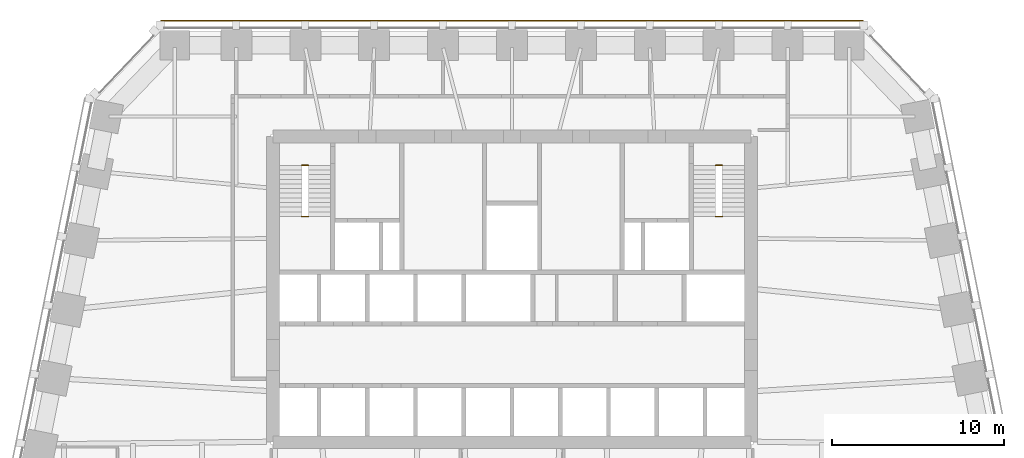
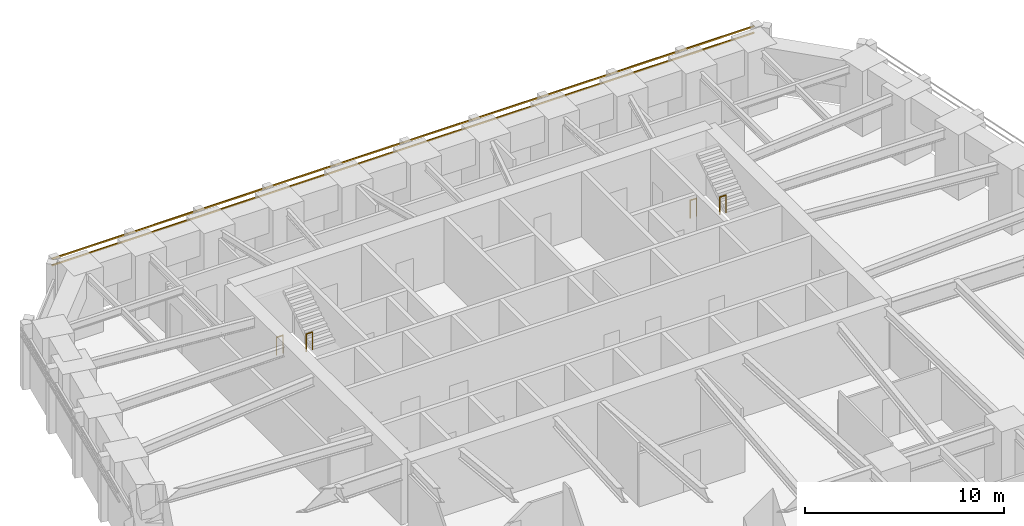
# One storey, part 9 of 9: 4 railings, 2 shading devices.
"""IFC4 building model written with IfcOpenShell, lengths in metres."""

import ifcopenshell
import ifcopenshell.guid

model = None  # the IFC model being written
_history = None  # IfcOwnerHistory: only IFC2X3 demands one
_inside = {}  # id of a spatial element -> (the spatial element, [elements in it])
_under = {}  # id of a project, library or spatial element -> (it, [spatial elements below it])
_declared = {}  # id of a project -> (the project, [libraries it declares])
_typed = {}  # id of a type object -> (the type object, [elements of that type])
_made_of = {}  # id of a material, layer set ... -> (it, [elements and type objects made of it])


def new_model(schema):
    """Start an empty IFC model of exactly this schema.

    Asked for "IFC4X3", IfcOpenShell would pick the latest addendum, in which some entities
    have other attributes; the version numbers below select the first issue.
    IFC2X3 requires an IfcOwnerHistory on every rooted entity: one is made here for all.
    """
    global model, _history
    if schema == "IFC4X3":
        model = ifcopenshell.file(schema_version=(4, 3, 0, 0))
    else:
        model = ifcopenshell.file(schema=schema)
    _inside.clear()
    _under.clear()
    _declared.clear()
    _typed.clear()
    _made_of.clear()
    _history = None
    if model.schema == "IFC2X3":
        org = make("IfcOrganization", Name="unknown")
        user = make(
            "IfcPersonAndOrganization",
            ThePerson=make("IfcPerson", FamilyName="unknown"),
            TheOrganization=org,
        )
        app = make(
            "IfcApplication",
            ApplicationDeveloper=org,
            Version="unknown",
            ApplicationFullName="unknown",
            ApplicationIdentifier="unknown",
        )
        _history = make(
            "IfcOwnerHistory",
            OwningUser=user,
            OwningApplication=app,
            ChangeAction="ADDED",
            CreationDate=0,
        )
    return model


def make(cls, **values):
    """One entity of the class cls with the attributes given. An attribute that is None is left unset."""
    return model.create_entity(
        cls, **{name: value for name, value in values.items() if value is not None}
    )


def rooted(cls, **values):
    """An entity with a GlobalId (a new one), such as an element, a storey or a relation."""
    return make(cls, GlobalId=ifcopenshell.guid.new(), OwnerHistory=_history, **values)


def si_unit(unit_type, name, prefix=None):
    """IfcSIUnit, for example si_unit("LENGTHUNIT", "METRE", prefix="MILLI")."""
    return make("IfcSIUnit", UnitType=unit_type, Prefix=prefix, Name=name)


def assignment(units):
    """IfcUnitAssignment: the units of a project."""
    return None if units is None else make("IfcUnitAssignment", Units=units)


def point(xyz):
    """IfcCartesianPoint."""
    return None if xyz is None else make("IfcCartesianPoint", Coordinates=xyz)


def direction(xyz):
    """IfcDirection."""
    return None if xyz is None else make("IfcDirection", DirectionRatios=xyz)


def frame(location, z_axis=None, x_axis=None):
    """IfcAxis2Placement3D, a coordinate frame: its origin and axes. An axis left out is left unset."""
    return make(
        "IfcAxis2Placement3D",
        Location=point(location),
        Axis=direction(z_axis),
        RefDirection=direction(x_axis),
    )


def frame_2d(location, x_axis=None):
    """IfcAxis2Placement2D, a coordinate frame in the plane: its origin and x axis."""
    return make(
        "IfcAxis2Placement2D", Location=point(location), RefDirection=direction(x_axis)
    )


def origin():
    """The frame at (0, 0, 0) with its axes left unset."""
    return frame((0.0, 0.0, 0.0))


def origin_2d():
    """The frame at (0, 0) in the plane with its x axis left unset."""
    return frame_2d((0.0, 0.0))


def place(relative_to, where):
    """IfcLocalPlacement: puts the frame where relative to a parent placement (None: the world)."""
    return make(
        "IfcLocalPlacement", PlacementRelTo=relative_to, RelativePlacement=where
    )


def context(
    kind, dimensions, precision=None, world=None, true_north=None, identifier=None
):
    """IfcGeometricRepresentationContext, for example the 3D "Model" context."""
    return make(
        "IfcGeometricRepresentationContext",
        ContextIdentifier=identifier,
        ContextType=kind,
        CoordinateSpaceDimension=dimensions,
        Precision=precision,
        WorldCoordinateSystem=world,
        TrueNorth=true_north,
    )


def subcontext(parent, identifier, kind, view, scale=None):
    """IfcGeometricRepresentationSubContext, for example "Body" below "Model"."""
    return make(
        "IfcGeometricRepresentationSubContext",
        ContextIdentifier=identifier,
        ContextType=kind,
        ParentContext=parent,
        TargetScale=scale,
        TargetView=view,
    )


def project(units=None, contexts=None):
    """IfcProject with its units and contexts."""
    return rooted(
        "IfcProject",
        Name="project",
        RepresentationContexts=contexts,
        UnitsInContext=assignment(units),
    )


def spatial(cls, under=None, at=None, **own):
    """A site, building, storey or space (cls), placed at a placement, below another one or the project."""
    s = rooted(cls, ObjectPlacement=at, **own)
    if under is not None:
        _under.setdefault(under.id(), (under, []))[1].append(s)
    return s


def profile(cls, at=None, kind="AREA", **sizes):
    """A parametric profile (cls). Its sizes go by their IFC names, for example OverallWidth=200.0."""
    return make(cls, ProfileType=kind, Position=at, **sizes)


def rectangle(**sizes):
    """IfcRectangleProfileDef."""
    return profile("IfcRectangleProfileDef", **sizes)


def circle(**sizes):
    """IfcCircleProfileDef."""
    return profile("IfcCircleProfileDef", **sizes)


def extrude(swept, where, along, depth):
    """IfcExtrudedAreaSolid: the profile swept, set in the frame where, extruded along a direction by depth."""
    return make(
        "IfcExtrudedAreaSolid",
        SweptArea=swept,
        Position=where,
        ExtrudedDirection=direction(along),
        Depth=depth,
    )


def shape(context_of_items, identifier, shape_type, items):
    """IfcShapeRepresentation: the items that make up one representation, for example the "Body"."""
    return make(
        "IfcShapeRepresentation",
        ContextOfItems=context_of_items,
        RepresentationIdentifier=identifier,
        RepresentationType=shape_type,
        Items=items,
    )


def material(Name=None, Category=None):
    """IfcMaterial."""
    return make("IfcMaterial", Name=Name, Category=Category)


def material_profile(
    of_material, cross_section, Name=None, Category=None, Priority=None
):
    """IfcMaterialProfile: a cross section and its material."""
    return make(
        "IfcMaterialProfile",
        Name=Name,
        Material=of_material,
        Profile=cross_section,
        Priority=Priority,
        Category=Category,
    )


def profile_set(profiles, Name=None, composite=None):
    """IfcMaterialProfileSet."""
    return make(
        "IfcMaterialProfileSet",
        Name=Name,
        MaterialProfiles=profiles,
        CompositeProfile=composite,
    )


def made_of(thing, what):
    """Note that an element or type object is made of a material, layer set ...; save() writes the relation."""
    if what is not None:
        _made_of.setdefault(what.id(), (what, []))[1].append(thing)
    return thing


def type_object(cls, material=None, **own):
    """A type object (cls), such as IfcWallType, which elements share."""
    return made_of(rooted(cls, **own), material)


def element(
    cls,
    number,
    at=None,
    inside=None,
    cuts=None,
    type_object=None,
    material=None,
    context=None,
    identifier="Body",
    shape_type=None,
    held_by="IfcProductDefinitionShape",
    body=None,
    shapes=None,
    **own,
):
    """One element of the class cls, such as IfcWall. Its Tag is "e" and its number.

    at: its placement. inside: the storey or other place that contains it. cuts: it is an
    opening in that element (IfcRelVoidsElement). A single representation is given by context,
    identifier, shape_type and body (its items); several are given by shapes. held_by: the class
    of the entity that holds the representations. save() writes the other relations.
    """
    e = rooted(cls, Tag="e%d" % number, ObjectPlacement=at, **own)
    if body is not None:
        shapes = [shape(context, identifier, shape_type, body)]
    if shapes is not None:
        e.Representation = make(held_by, Representations=shapes)
    if inside is not None:
        _inside.setdefault(inside.id(), (inside, []))[1].append(e)
    if cuts is not None:
        rooted(
            "IfcRelVoidsElement", RelatingBuildingElement=cuts, RelatedOpeningElement=e
        )
    if type_object is not None:
        _typed.setdefault(type_object.id(), (type_object, []))[1].append(e)
    return made_of(e, material)


def aggregate(whole, parts):
    """IfcRelAggregates: a whole, such as a stair, and the parts it consists of."""
    return rooted("IfcRelAggregates", RelatingObject=whole, RelatedObjects=parts)


def save(model, path):
    """Write the relations noted so far, then the file.

    IfcRelAggregates (storeys below a building ...), IfcRelContainedInSpatialStructure (elements
    in a storey), IfcRelDefinesByType, IfcRelAssociatesMaterial and IfcRelDeclares: one each for
    every whole, place, type object, material and project.
    """
    for whole, parts in _under.values():
        aggregate(whole, parts)
    for where, things in _inside.values():
        rooted(
            "IfcRelContainedInSpatialStructure",
            RelatedElements=things,
            RelatingStructure=where,
        )
    for kind, things in _typed.values():
        rooted("IfcRelDefinesByType", RelatedObjects=things, RelatingType=kind)
    for what, things in _made_of.values():
        rooted("IfcRelAssociatesMaterial", RelatedObjects=things, RelatingMaterial=what)
    for by, libraries in _declared.values():
        rooted("IfcRelDeclares", RelatingContext=by, RelatedDefinitions=libraries)
    model.write(path)


model = new_model("IFC4")

# Units and contexts
model_context = context("Model", 3, precision=1e-05, world=origin(), true_north=direction((0.0, 1.0)))
body_context = subcontext(model_context, "Body", "Model", "MODEL_VIEW")
ifc_project = project(units=[si_unit("LENGTHUNIT", "METRE"), si_unit("AREAUNIT", "SQUARE_METRE"), si_unit("VOLUMEUNIT", "CUBIC_METRE"), si_unit("PLANEANGLEUNIT", "RADIAN"), si_unit("MASSUNIT", "GRAM", prefix="KILO")], contexts=[model_context])

# Site, building, storey
site_placement = place(None, origin())
site = spatial("IfcSite", under=ifc_project, at=site_placement, CompositionType="ELEMENT")
building_placement = place(site_placement, origin())
building = spatial("IfcBuilding", under=site, at=building_placement, Name="Isbrekke Arena Tower", CompositionType="ELEMENT")
storey_placement = place(building_placement, frame((0.0, 0.0, 131.0)))
storey = spatial("IfcBuildingStorey", under=building, at=storey_placement, Name="L29", CompositionType="ELEMENT", Elevation=131.0)

# Shading devices
ifc_material_1 = material(Name="Terracotta", Category="masonry")
ifc_material_profile = material_profile(ifc_material_1, rectangle(XDim=0.06005859375, YDim=0.06005859375, at=origin_2d()), Name="BAGUETTE 60X60")
ifc_profile_set = profile_set([ifc_material_profile], Name="Terracotta")
shading_device_type = type_object("IfcShadingDeviceType", Name="BG1 TERRACOTTA BAGUETTE 60 x 60", PredefinedType="USERDEFINED", material=ifc_profile_set)
for number, where, z_axis, x_axis, name in (
    (1, (20.39990234375, 30.60498046875, 3.280029296875), (-1.0, 0.0, 0.0), (0.0, -1.0, 0.0), "BG1 terracotta baguette N1 L29"),
    (2, (20.39990234375, 30.60498046875, 3.679931640625), (-1.0, 0.0, 0.0), (0.0, -1.0, 0.0), "BG1 terracotta baguette N2 L29"),
):
    element("IfcShadingDevice", number, at=place(storey_placement, frame(where, z_axis=z_axis, x_axis=x_axis)), inside=storey, type_object=shading_device_type, Name=name, ObjectType="TERRACOTTA BAGUETTE", PredefinedType="USERDEFINED", context=body_context, shape_type="SweptSolid", body=[
        extrude(rectangle(XDim=0.06005859375, YDim=0.06005859375, at=origin_2d()), origin(), (0.0, 0.0, 1.0), 40.7998046875),
    ])

# Railings
ifc_material_2 = material(Name="Steel stair guard, vertical bars, steel handrail", Category="steel")
railing_type = type_object("IfcRailingType", Name="GR3 STAIR WELL GUARD 1100", PredefinedType="GUARDRAIL", material=ifc_material_2)
for number, where, name in (
    (3, (-12.199951171875, 22.199951171875, 0.0), "GR3 stair well guard ST1 L29"),
    (4, (-12.199951171875, 19.22998046875, 2.0), "GR3 stair well guard ST1 L29"),
    (5, (11.824951171875, 22.199951171875, 0.0), "GR3 stair well guard ST2 L29"),
    (6, (11.824951171875, 19.22998046875, 2.0), "GR3 stair well guard ST2 L29"),
):
    element("IfcRailing", number, at=place(storey_placement, frame(where)), inside=storey, type_object=railing_type, Name=name, PredefinedType="GUARDRAIL", context=body_context, shape_type="SweptSolid", body=[
        extrude(circle(Radius=0.02392578125, at=origin_2d()), frame((0.0, 0.0, 1.076171875), z_axis=(1.0, 0.0, 0.0), x_axis=(0.0, 1.0, 0.0)), (0.0, 0.0, 1.0), 0.375),
        extrude(circle(Radius=0.02099609375, at=origin_2d()), origin(), (0.0, 0.0, 1.0), 1.052001953125),
        extrude(circle(Radius=0.02099609375, at=origin_2d()), frame((0.375, 0.0, 0.0)), (0.0, 0.0, 1.0), 1.052001953125),
    ])

save(model, "model.ifc")
